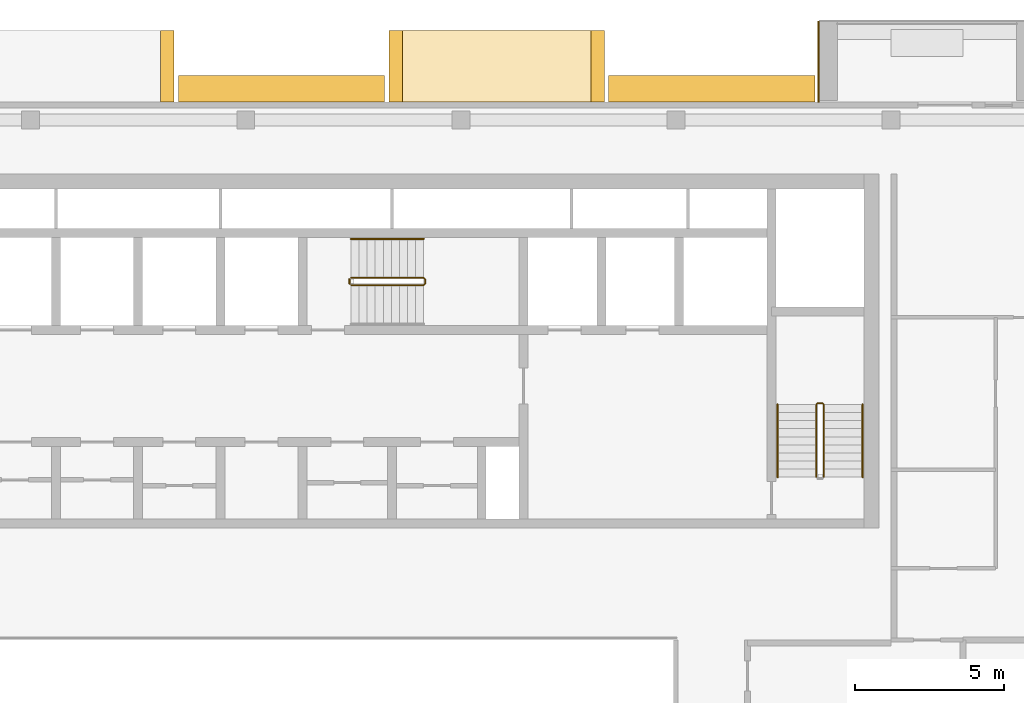
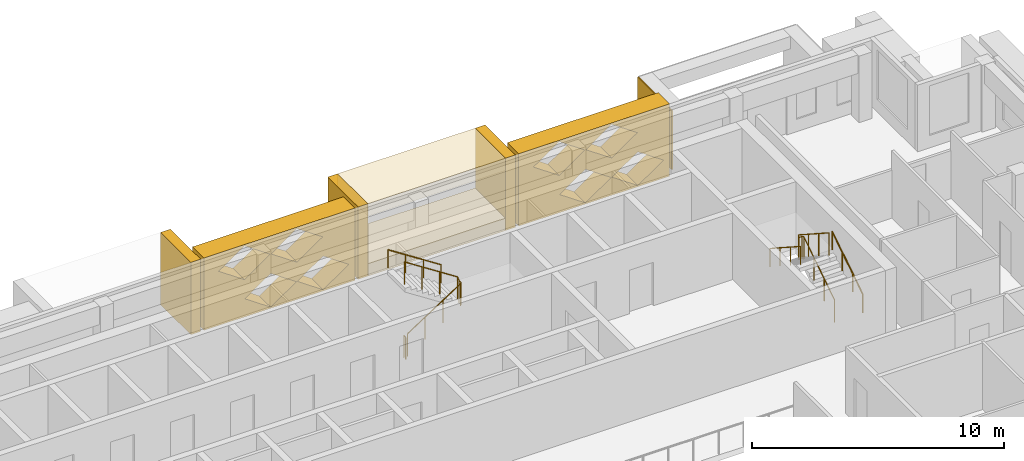
# One storey, part 18 of 19: 8 coverings, 6 railings.
"""IFC4 building model written with IfcOpenShell, lengths in metres."""

from ifc_helpers import new_model, si_unit, direction, frame, origin, origin_2d, place, context, subcontext, project, spatial, polyline, circle, outline, extrude, material, layer, layer_set, type_object, element, save


model = new_model("IFC4")

# Units and contexts
model_context = context("Model", 3, precision=1e-05, world=origin(), true_north=direction((0.0, 1.0)))
body_context = subcontext(model_context, "Body", "Model", "MODEL_VIEW")
ifc_project = project(units=[si_unit("LENGTHUNIT", "METRE"), si_unit("AREAUNIT", "SQUARE_METRE"), si_unit("VOLUMEUNIT", "CUBIC_METRE"), si_unit("PLANEANGLEUNIT", "RADIAN"), si_unit("MASSUNIT", "GRAM", prefix="KILO")], contexts=[model_context])

# Site, building, storey
site_placement = place(None, origin())
site = spatial("IfcSite", under=ifc_project, at=site_placement, CompositionType="ELEMENT")
building_placement = place(site_placement, origin())
building = spatial("IfcBuilding", under=site, at=building_placement, Name="Saffron Iwan Residences", CompositionType="ELEMENT")
storey_placement = place(building_placement, frame((0.0, 0.0, 264.0)))
storey = spatial("IfcBuildingStorey", under=building, at=storey_placement, Name="L71", CompositionType="ELEMENT", Elevation=264.0)

# Coverings
ifc_material_1 = material(Name="Precast concrete C40/50 white painted", Category="concrete")
ifc_layer = layer(ifc_material_1, 0.050048828125)
ifc_layer_set = layer_set([ifc_layer], Name="Precast concrete C40/50 white painted")
covering_type_1 = type_object("IfcCoveringType", Name="FRAME SKIN PRECAST WHITE 50", PredefinedType="CLADDING", material=ifc_layer_set)
covering_1_placement = place(storey_placement, origin())
element("IfcCovering", 1, at=covering_1_placement, inside=storey, type_object=covering_type_1, Name="Frame skin fin L71 F5-0b", PredefinedType="CLADDING", context=body_context, shape_type="SweptSolid", body=[
    extrude(outline(polyline([(69.60009765625, 83.10009765625), (69.550048828125, 83.10009765625), (69.550048828125, 80.39990234375), (69.60009765625, 80.39990234375), (69.60009765625, 83.10009765625)])), origin(), (0.0, 0.0, 1.0), 2.85009765625),
])
ifc_material_2 = material(Name="Precast concrete C40/50", Category="concrete")
covering_type_2 = type_object("IfcCoveringType", Name="OUTER SKIN LATTICE SCREEN", PredefinedType="CLADDING", material=ifc_material_2)
for number, where, z_axis, x_axis, name in (
    (2, (69.449951171875, 80.39990234375, -0.280029296875), (0.0, 1.0, 0.0), (-1.0, 0.0, 0.0), "OUTER SKIN lattice screen L71 F5.1"),
    (3, (55.050048828125, 80.39990234375, -0.280029296875), (0.0, 1.0, 0.0), (-1.0, 0.0, 0.0), "OUTER SKIN lattice screen L71 F5.2"),
):
    element("IfcCovering", number, at=place(storey_placement, frame(where, z_axis=z_axis, x_axis=x_axis)), inside=storey, type_object=covering_type_2, Name=name, PredefinedType="CLADDING", context=body_context, shape_type="SweptSolid", body=[
        extrude(outline(polyline([(0.0, 0.0), (6.89990234375, 0.0), (6.89990234375, 3.5), (0.0, 3.5), (0.0, 0.0)]), holes=[polyline([(0.27001953125, 0.875), (1.449951171875, 0.06005859375), (2.6298828125, 0.875), (1.449951171875, 1.68994140625), (0.27001953125, 0.875)]), polyline([(2.669921875, 0.875), (3.85009765625, 0.06005859375), (5.030029296875, 0.875), (3.85009765625, 1.68994140625), (2.669921875, 0.875)]), polyline([(1.469970703125, 2.625), (2.64990234375, 1.81005859375), (3.830078125, 2.625), (2.64990234375, 3.43994140625), (1.469970703125, 2.625)]), polyline([(3.8701171875, 2.625), (5.050048828125, 1.81005859375), (6.22998046875, 2.625), (5.050048828125, 3.43994140625), (3.8701171875, 2.625)])]), origin(), (0.0, 0.0, 1.0), 0.900146484375),
    ])

# Railings
ifc_material_3 = material(Name="Steel S355", Category="steel")
railing_type_1 = type_object("IfcRailingType", Name="Stair guard 1100", PredefinedType="GUARDRAIL", material=ifc_material_3)
railing_1_placement = place(storey_placement, frame((53.925048828125, 74.27490234375, 0.175048828125)))
element("IfcRailing", 4, at=railing_1_placement, inside=storey, type_object=railing_type_1, Name="L71 ST-C stair guard 1", PredefinedType="GUARDRAIL", context=body_context, shape_type="SweptSolid", body=[
    extrude(circle(Radius=0.02392578125, at=origin_2d()), frame((0.0, 0.0, 1.076171875), z_axis=(0.839153699163, 0.0, 0.543894354798), x_axis=(0.0, 1.0, 0.0)), (0.0, 0.0, 1.0), 2.895751953125),
    extrude(circle(Radius=0.02392578125, at=origin_2d()), frame((2.429931640625, 0.0, 2.65087890625), z_axis=(0.707106781187, 0.707106781187, 0.0), x_axis=(-0.707106781187, 0.707106781187, 0.0)), (0.0, 0.0, 1.0), 0.07080078125),
    extrude(circle(Radius=0.02392578125, at=origin_2d()), frame((2.47998046875, 0.050048828125, 2.65087890625), z_axis=(0.0, 1.0, 0.0), x_axis=(-1.0, 0.0, 0.0)), (0.0, 0.0, 1.0), 0.150146484375),
    extrude(circle(Radius=0.02392578125, at=origin_2d()), frame((2.47998046875, 0.2001953125, 2.65087890625), z_axis=(-0.265155923931, 0.263862480399, 0.927399011991), x_axis=(-0.705375805398, -0.708833529934, 0.0)), (0.0, 0.0, 1.0), 0.188720703125),
    extrude(circle(Radius=0.02392578125, at=origin_2d()), frame((2.429931640625, 0.25, 2.826171875), z_axis=(-0.839153699163, 0.0, 0.543894354798), x_axis=(0.0, -1.0, 0.0)), (0.0, 0.0, 1.0), 2.895751953125),
    extrude(circle(Radius=0.02099609375, at=origin_2d()), origin(), (0.0, 0.0, 1.0), 1.052001953125),
    extrude(circle(Radius=0.02099609375, at=origin_2d()), frame((0.81005859375, 0.0, 0.52490234375)), (0.0, 0.0, 1.0), 1.052001953125),
    extrude(circle(Radius=0.02099609375, at=origin_2d()), frame((1.619873046875, 0.0, 1.050048828125)), (0.0, 0.0, 1.0), 1.052001953125),
    extrude(circle(Radius=0.02099609375, at=origin_2d()), frame((2.429931640625, 0.0, 1.574951171875)), (0.0, 0.0, 1.0), 1.052001953125),
    extrude(circle(Radius=0.02099609375, at=origin_2d()), frame((2.47998046875, 0.050048828125, 1.574951171875)), (0.0, 0.0, 1.0), 1.052001953125),
    extrude(circle(Radius=0.02099609375, at=origin_2d()), frame((2.47998046875, 0.2001953125, 1.574951171875)), (0.0, 0.0, 1.0), 1.052001953125),
    extrude(circle(Radius=0.02099609375, at=origin_2d()), frame((2.429931640625, 0.25, 1.75)), (0.0, 0.0, 1.0), 1.052001953125),
    extrude(circle(Radius=0.02099609375, at=origin_2d()), frame((1.619873046875, 0.25, 2.27490234375)), (0.0, 0.0, 1.0), 1.052001953125),
    extrude(circle(Radius=0.02099609375, at=origin_2d()), frame((0.81005859375, 0.25, 2.800048828125)), (0.0, 0.0, 1.0), 1.052001953125),
    extrude(circle(Radius=0.02099609375, at=origin_2d()), frame((0.0, 0.25, 3.324951171875)), (0.0, 0.0, 1.0), 1.052001953125),
])
railing_2_placement = place(storey_placement, frame((53.875, 74.324951171875, 0.0)))
element("IfcRailing", 5, at=railing_2_placement, inside=storey, type_object=railing_type_1, Name="L71 ST-C stair guard 2", PredefinedType="GUARDRAIL", context=body_context, shape_type="SweptSolid", body=[
    extrude(circle(Radius=0.02392578125, at=origin_2d()), frame((0.0, 0.0, 1.076171875), z_axis=(0.0, 1.0, 0.0), x_axis=(-1.0, 0.0, 0.0)), (0.0, 0.0, 1.0), 0.150146484375),
    extrude(circle(Radius=0.02099609375, at=origin_2d()), origin(), (0.0, 0.0, 1.0), 1.052001953125),
    extrude(circle(Radius=0.02099609375, at=origin_2d()), frame((0.0, 0.150146484375, 0.0)), (0.0, 0.0, 1.0), 1.052001953125),
])
railing_3_placement = place(storey_placement, frame((69.75, 67.85009765625, 0.175048828125)))
element("IfcRailing", 6, at=railing_3_placement, inside=storey, type_object=railing_type_1, Name="L71 ST-E stair guard 1", PredefinedType="GUARDRAIL", context=body_context, shape_type="SweptSolid", body=[
    extrude(circle(Radius=0.02392578125, at=origin_2d()), frame((0.0, 0.0, 1.076171875), z_axis=(0.0, 0.839153699163, 0.543894354798), x_axis=(-1.0, 0.0, 0.0)), (0.0, 0.0, 1.0), 2.895751953125),
    extrude(circle(Radius=0.02392578125, at=origin_2d()), frame((0.0, 2.429931640625, 2.65087890625), z_axis=(-0.707106781187, 0.707106781187, 0.0), x_axis=(-0.707106781187, -0.707106781187, 0.0)), (0.0, 0.0, 1.0), 0.07080078125),
    extrude(circle(Radius=0.02392578125, at=origin_2d()), frame((-0.050048828125, 2.47998046875, 2.65087890625), z_axis=(-1.0, 0.0, 0.0), x_axis=(0.0, -1.0, 0.0)), (0.0, 0.0, 1.0), 0.14990234375),
    extrude(circle(Radius=0.02392578125, at=origin_2d()), frame((-0.199951171875, 2.47998046875, 2.65087890625), z_axis=(-0.265065253269, -0.265065253269, 0.927081885822), x_axis=(0.707106781187, -0.707106781187, 0.0)), (0.0, 0.0, 1.0), 0.188720703125),
    extrude(circle(Radius=0.02392578125, at=origin_2d()), frame((-0.25, 2.429931640625, 2.826171875), z_axis=(0.0, -0.839153699163, 0.543894354798), x_axis=(1.0, 0.0, 0.0)), (0.0, 0.0, 1.0), 2.895751953125),
    extrude(circle(Radius=0.02099609375, at=origin_2d()), origin(), (0.0, 0.0, 1.0), 1.052001953125),
    extrude(circle(Radius=0.02099609375, at=origin_2d()), frame((0.0, 0.81005859375, 0.52490234375)), (0.0, 0.0, 1.0), 1.052001953125),
    extrude(circle(Radius=0.02099609375, at=origin_2d()), frame((0.0, 1.619873046875, 1.050048828125)), (0.0, 0.0, 1.0), 1.052001953125),
    extrude(circle(Radius=0.02099609375, at=origin_2d()), frame((0.0, 2.429931640625, 1.574951171875)), (0.0, 0.0, 1.0), 1.052001953125),
    extrude(circle(Radius=0.02099609375, at=origin_2d()), frame((-0.050048828125, 2.47998046875, 1.574951171875)), (0.0, 0.0, 1.0), 1.052001953125),
    extrude(circle(Radius=0.02099609375, at=origin_2d()), frame((-0.199951171875, 2.47998046875, 1.574951171875)), (0.0, 0.0, 1.0), 1.052001953125),
    extrude(circle(Radius=0.02099609375, at=origin_2d()), frame((-0.25, 2.429931640625, 1.75)), (0.0, 0.0, 1.0), 1.052001953125),
    extrude(circle(Radius=0.02099609375, at=origin_2d()), frame((-0.25, 1.619873046875, 2.27490234375)), (0.0, 0.0, 1.0), 1.052001953125),
    extrude(circle(Radius=0.02099609375, at=origin_2d()), frame((-0.25, 0.81005859375, 2.800048828125)), (0.0, 0.0, 1.0), 1.052001953125),
    extrude(circle(Radius=0.02099609375, at=origin_2d()), frame((-0.25, 0.0, 3.324951171875)), (0.0, 0.0, 1.0), 1.052001953125),
])
ifc_material_4 = material(Name="Stainless steel 316", Category="steel")
railing_type_2 = type_object("IfcRailingType", Name="Stair handrail 900", PredefinedType="HANDRAIL", material=ifc_material_4)
railing_4_placement = place(storey_placement, frame((56.35498046875, 75.824951171875, 1.925048828125)))
element("IfcRailing", 7, at=railing_4_placement, inside=storey, type_object=railing_type_2, Name="L71 ST-C stair handrail 2", PredefinedType="HANDRAIL", context=body_context, shape_type="SweptSolid", body=[
    extrude(circle(Radius=0.02392578125, at=origin_2d()), frame((0.0, 0.0, 0.8759765625), z_axis=(-0.839153699163, 0.0, 0.543894354798), x_axis=(0.0, -1.0, 0.0)), (0.0, 0.0, 1.0), 2.895751953125),
    extrude(circle(Radius=0.02099609375, at=origin_2d()), origin(), (0.0, 0.0, 1.0), 0.851806640625),
    extrude(circle(Radius=0.02099609375, at=origin_2d()), frame((-0.81005859375, 0.0, 0.52490234375)), (0.0, 0.0, 1.0), 0.851806640625),
    extrude(circle(Radius=0.02099609375, at=origin_2d()), frame((-1.619873046875, 0.0, 1.050048828125)), (0.0, 0.0, 1.0), 0.851806640625),
    extrude(circle(Radius=0.02099609375, at=origin_2d()), frame((-2.429931640625, 0.0, 1.574951171875)), (0.0, 0.0, 1.0), 0.851806640625),
])
railing_5_placement = place(storey_placement, frame((71.050048828125, 67.85009765625, 0.175048828125)))
element("IfcRailing", 8, at=railing_5_placement, inside=storey, type_object=railing_type_2, Name="L71 ST-E stair handrail 1", PredefinedType="HANDRAIL", context=body_context, shape_type="SweptSolid", body=[
    extrude(circle(Radius=0.02392578125, at=origin_2d()), frame((0.0, 0.0, 0.8759765625), z_axis=(0.0, 0.839153699163, 0.543894354798), x_axis=(-1.0, 0.0, 0.0)), (0.0, 0.0, 1.0), 2.895751953125),
    extrude(circle(Radius=0.02099609375, at=origin_2d()), origin(), (0.0, 0.0, 1.0), 0.851806640625),
    extrude(circle(Radius=0.02099609375, at=origin_2d()), frame((0.0, 0.81005859375, 0.52490234375)), (0.0, 0.0, 1.0), 0.851806640625),
    extrude(circle(Radius=0.02099609375, at=origin_2d()), frame((0.0, 1.619873046875, 1.050048828125)), (0.0, 0.0, 1.0), 0.851806640625),
    extrude(circle(Radius=0.02099609375, at=origin_2d()), frame((0.0, 2.429931640625, 1.574951171875)), (0.0, 0.0, 1.0), 0.851806640625),
])
railing_6_placement = place(storey_placement, frame((68.199951171875, 70.280029296875, 1.925048828125)))
element("IfcRailing", 9, at=railing_6_placement, inside=storey, type_object=railing_type_2, Name="L71 ST-E stair handrail 2", PredefinedType="HANDRAIL", context=body_context, shape_type="SweptSolid", body=[
    extrude(circle(Radius=0.02392578125, at=origin_2d()), frame((0.0, 0.0, 0.8759765625), z_axis=(0.0, -0.839153699163, 0.543894354798), x_axis=(1.0, 0.0, 0.0)), (0.0, 0.0, 1.0), 2.895751953125),
    extrude(circle(Radius=0.02099609375, at=origin_2d()), origin(), (0.0, 0.0, 1.0), 0.851806640625),
    extrude(circle(Radius=0.02099609375, at=origin_2d()), frame((0.0, -0.81005859375, 0.52490234375)), (0.0, 0.0, 1.0), 0.851806640625),
    extrude(circle(Radius=0.02099609375, at=origin_2d()), frame((0.0, -1.619873046875, 1.050048828125)), (0.0, 0.0, 1.0), 0.851806640625),
    extrude(circle(Radius=0.02099609375, at=origin_2d()), frame((0.0, -2.429931640625, 1.574951171875)), (0.0, 0.0, 1.0), 0.851806640625),
])

# Coverings
covering_type_3 = type_object("IfcCoveringType", Name="WHITE SUN FRAME PRECAST", PredefinedType="CLADDING", material=ifc_material_1)
for number, where, z_axis, x_axis, name in (
    (10, (62.39990234375, 80.39990234375, -0.280029296875), (0.0, 1.0, 0.0), (-1.0, 0.0, 0.0), "Sun frame L71 F5 16.4a"),
    (11, (55.64990234375, 80.39990234375, -0.280029296875), (0.0, 1.0, 0.0), (-1.0, 0.0, 0.0), "Sun frame L71 F5 16.4b"),
):
    element("IfcCovering", number, at=place(storey_placement, frame(where, z_axis=z_axis, x_axis=x_axis)), inside=storey, type_object=covering_type_3, Name=name, PredefinedType="CLADDING", context=body_context, shape_type="SweptSolid", body=[
        extrude(outline(polyline([(0.0, 0.0), (0.449951171875, 0.0), (0.449951171875, 3.5), (0.0, 3.5), (0.0, 0.0)])), origin(), (0.0, 0.0, 1.0), 2.400146484375),
    ])
for number, where, z_axis, x_axis, name in (
    (12, (61.949951171875, 80.39990234375, 2.6201171875), (0.0, 1.0, 0.0), (-1.0, 0.0, 0.0), "Sun frame L71 F5 16.4h"),
    (13, (61.949951171875, 80.39990234375, -0.280029296875), (0.0, 1.0, 0.0), (-1.0, 0.0, 0.0), "Sun frame L71 F5 16.4s"),
):
    element("IfcCovering", number, at=place(storey_placement, frame(where, z_axis=z_axis, x_axis=x_axis)), inside=storey, type_object=covering_type_3, Name=name, PredefinedType="CLADDING", context=body_context, shape_type="SweptSolid", body=[
        extrude(outline(polyline([(0.0, 0.0), (6.300048828125, 0.0), (6.300048828125, 0.60009765625), (0.0, 0.60009765625), (0.0, 0.0)])), origin(), (0.0, 0.0, 1.0), 2.400146484375),
    ])
covering_2_placement = place(storey_placement, frame((48.0, 80.39990234375, -0.280029296875), z_axis=(0.0, 1.0, 0.0), x_axis=(-1.0, 0.0, 0.0)))
element("IfcCovering", 14, at=covering_2_placement, inside=storey, type_object=covering_type_3, Name="Sun frame L71 F5 30.8a", PredefinedType="CLADDING", context=body_context, shape_type="SweptSolid", body=[
    extrude(outline(polyline([(0.0, 0.0), (0.449951171875, 0.0), (0.449951171875, 3.5), (0.0, 3.5), (0.0, 0.0)])), origin(), (0.0, 0.0, 1.0), 2.400146484375),
])

save(model, "model.ifc")
